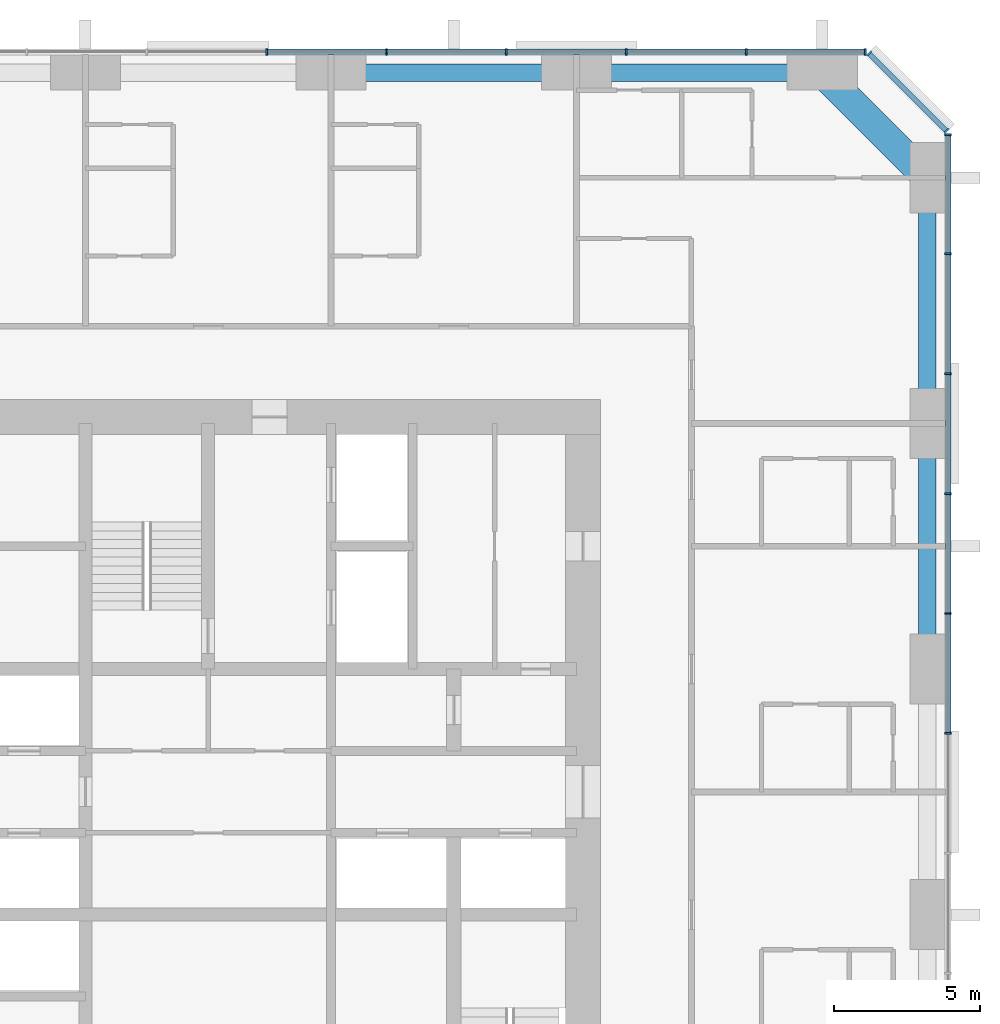
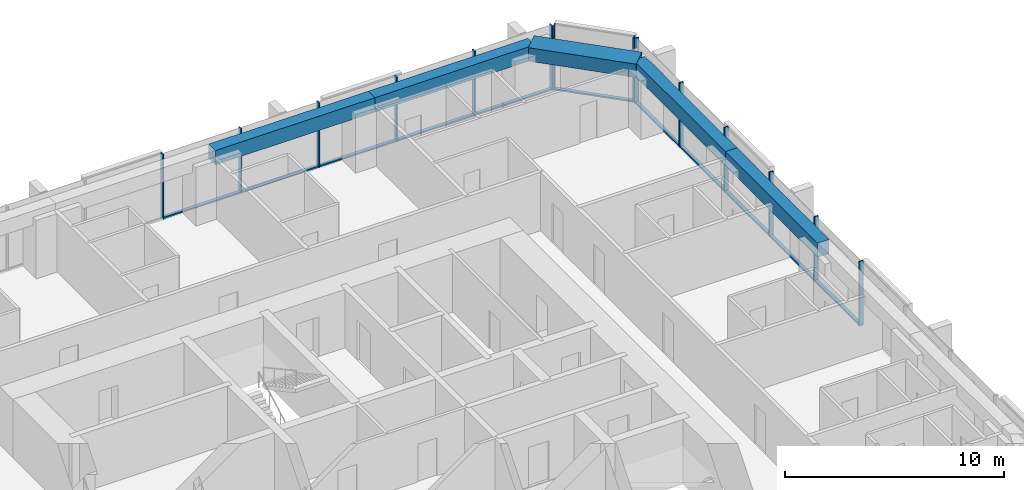
# One storey, part 6 of 14: 25 members, 5 beams, 3 elements without a shape of their own.
"""IFC4 building model written with IfcOpenShell, lengths in metres."""

from ifc_helpers import new_model, si_unit, direction, frame, origin, origin_2d, place, context, subcontext, project, spatial, rectangle, extrude, material, material_profile, profile_set, type_object, element, aggregate, save


model = new_model("IFC4")

# Units and contexts
model_context = context("Model", 3, precision=1e-05, world=origin(), true_north=direction((0.0, 1.0)))
body_context = subcontext(model_context, "Body", "Model", "MODEL_VIEW")
ifc_project = project(units=[si_unit("LENGTHUNIT", "METRE"), si_unit("AREAUNIT", "SQUARE_METRE"), si_unit("VOLUMEUNIT", "CUBIC_METRE"), si_unit("PLANEANGLEUNIT", "RADIAN"), si_unit("MASSUNIT", "GRAM", prefix="KILO")], contexts=[model_context])

# Site, building, storey
site_placement = place(None, origin())
site = spatial("IfcSite", under=ifc_project, at=site_placement, CompositionType="ELEMENT")
building_placement = place(site_placement, origin())
building = spatial("IfcBuilding", under=site, at=building_placement, Name="Dunama Terrace Hotel", CompositionType="ELEMENT")
storey_placement = place(building_placement, frame((0.0, 0.0, 108.0)))
storey = spatial("IfcBuildingStorey", under=building, at=storey_placement, Name="L27", CompositionType="ELEMENT", Elevation=108.0)

# Curtain wall, members
ifc_material_1 = material(Name="Aluminium curtain wall system", Category="aluminium")
curtain_wall_type = type_object("IfcCurtainWallType", Name="Unitised fritted glass wall CW-B", PredefinedType="NOTDEFINED", material=ifc_material_1)
curtain_wall_1_placement = place(storey_placement, origin())
curtain_wall_1 = element("IfcCurtainWall", 1, at=curtain_wall_1_placement, inside=storey, type_object=curtain_wall_type, Name="Unitised fritted glass wall CW-B L27", PredefinedType="NOTDEFINED")
ifc_material_2 = material(Name="Aluminium mullion", Category="aluminium")
ifc_material_profile_1 = material_profile(ifc_material_2, rectangle(XDim=0.06494140625, YDim=0.219970703125, at=origin_2d()), Name="CWB MULLION 65X220")
ifc_profile_set_1 = profile_set([ifc_material_profile_1], Name="Aluminium mullion")
member_type_1 = type_object("IfcMemberType", Name="CWB mullion 65x220", PredefinedType="MULLION", material=ifc_profile_set_1)
member_1_placement = place(storey_placement, frame((54.7099609375, 31.39990234375, 0.0), z_axis=(0.0, 0.0, 1.0), x_axis=(0.0, 1.0, 0.0)))
member_1 = element("IfcMember", 2, at=member_1_placement, type_object=member_type_1, Name="CWB mullion", PredefinedType="MULLION", context=body_context, shape_type="SweptSolid", body=[
    extrude(rectangle(XDim=0.06494140625, YDim=0.219970703125, at=origin_2d()), origin(), (0.0, 0.0, 1.0), 3.60009765625),
])
member_2_placement = place(storey_placement, frame((54.7099609375, 35.5, 0.0), z_axis=(0.0, 0.0, 1.0), x_axis=(0.0, 1.0, 0.0)))
member_2 = element("IfcMember", 3, at=member_2_placement, type_object=member_type_1, Name="CWB mullion", PredefinedType="MULLION", context=body_context, shape_type="SweptSolid", body=[
    extrude(rectangle(XDim=0.06494140625, YDim=0.219970703125, at=origin_2d()), origin(), (0.0, 0.0, 1.0), 3.60009765625),
])
member_3_placement = place(storey_placement, frame((54.7099609375, 39.60009765625, 0.0), z_axis=(0.0, 0.0, 1.0), x_axis=(0.0, 1.0, 0.0)))
member_3 = element("IfcMember", 4, at=member_3_placement, type_object=member_type_1, Name="CWB mullion", PredefinedType="MULLION", context=body_context, shape_type="SweptSolid", body=[
    extrude(rectangle(XDim=0.06494140625, YDim=0.219970703125, at=origin_2d()), origin(), (0.0, 0.0, 1.0), 3.60009765625),
])
member_4_placement = place(storey_placement, frame((54.7099609375, 43.699951171875, 0.0), z_axis=(0.0, 0.0, 1.0), x_axis=(0.0, 1.0, 0.0)))
member_4 = element("IfcMember", 5, at=member_4_placement, type_object=member_type_1, Name="CWB mullion", PredefinedType="MULLION", context=body_context, shape_type="SweptSolid", body=[
    extrude(rectangle(XDim=0.06494140625, YDim=0.219970703125, at=origin_2d()), origin(), (0.0, 0.0, 1.0), 3.60009765625),
])
member_5_placement = place(storey_placement, frame((54.7099609375, 47.800048828125, 0.0), z_axis=(0.0, 0.0, 1.0), x_axis=(0.0, 1.0, 0.0)))
member_5 = element("IfcMember", 6, at=member_5_placement, type_object=member_type_1, Name="CWB mullion", PredefinedType="MULLION", context=body_context, shape_type="SweptSolid", body=[
    extrude(rectangle(XDim=0.06494140625, YDim=0.219970703125, at=origin_2d()), origin(), (0.0, 0.0, 1.0), 3.60009765625),
])
member_6_placement = place(storey_placement, frame((54.7099609375, 51.866943359375, 0.0), z_axis=(0.0, 0.0, 1.0), x_axis=(0.0, 1.0, 0.0)))
member_6 = element("IfcMember", 7, at=member_6_placement, type_object=member_type_1, Name="CWB mullion", PredefinedType="MULLION", context=body_context, shape_type="SweptSolid", body=[
    extrude(rectangle(XDim=0.06494140625, YDim=0.219970703125, at=origin_2d()), origin(), (0.0, 0.0, 1.0), 3.60009765625),
])

curtain_wall_2_placement = place(storey_placement, origin())
curtain_wall_2 = element("IfcCurtainWall", 8, at=curtain_wall_2_placement, inside=storey, type_object=curtain_wall_type, Name="Unitised fritted glass wall CW-B L27", PredefinedType="NOTDEFINED")
member_7_placement = place(storey_placement, frame((54.655029296875, 52.0009765625, 0.0), z_axis=(0.0, 0.0, 1.0), x_axis=(-0.707106781187, 0.707106781187, 0.0)))
member_7 = element("IfcMember", 9, at=member_7_placement, type_object=member_type_1, Name="CWB mullion", PredefinedType="MULLION", context=body_context, shape_type="SweptSolid", body=[
    extrude(rectangle(XDim=0.06494140625, YDim=0.219970703125, at=origin_2d()), origin(), (0.0, 0.0, 1.0), 3.60009765625),
])
member_8_placement = place(storey_placement, frame((52.0009765625, 54.655029296875, 0.0), z_axis=(0.0, 0.0, 1.0), x_axis=(-0.707106781187, 0.707106781187, 0.0)))
member_8 = element("IfcMember", 10, at=member_8_placement, type_object=member_type_1, Name="CWB mullion", PredefinedType="MULLION", context=body_context, shape_type="SweptSolid", body=[
    extrude(rectangle(XDim=0.06494140625, YDim=0.219970703125, at=origin_2d()), origin(), (0.0, 0.0, 1.0), 3.60009765625),
])

curtain_wall_3_placement = place(storey_placement, origin())
curtain_wall_3 = element("IfcCurtainWall", 11, at=curtain_wall_3_placement, inside=storey, type_object=curtain_wall_type, Name="Unitised fritted glass wall CW-B L27", PredefinedType="NOTDEFINED")
member_9_placement = place(storey_placement, frame((51.866943359375, 54.7099609375, 0.0), z_axis=(0.0, 0.0, 1.0), x_axis=(-1.0, 0.0, 0.0)))
member_9 = element("IfcMember", 12, at=member_9_placement, type_object=member_type_1, Name="CWB mullion", PredefinedType="MULLION", context=body_context, shape_type="SweptSolid", body=[
    extrude(rectangle(XDim=0.06494140625, YDim=0.219970703125, at=origin_2d()), origin(), (0.0, 0.0, 1.0), 3.60009765625),
])
member_10_placement = place(storey_placement, frame((47.800048828125, 54.7099609375, 0.0), z_axis=(0.0, 0.0, 1.0), x_axis=(-1.0, 0.0, 0.0)))
member_10 = element("IfcMember", 13, at=member_10_placement, type_object=member_type_1, Name="CWB mullion", PredefinedType="MULLION", context=body_context, shape_type="SweptSolid", body=[
    extrude(rectangle(XDim=0.06494140625, YDim=0.219970703125, at=origin_2d()), origin(), (0.0, 0.0, 1.0), 3.60009765625),
])
member_11_placement = place(storey_placement, frame((43.699951171875, 54.7099609375, 0.0), z_axis=(0.0, 0.0, 1.0), x_axis=(-1.0, 0.0, 0.0)))
member_11 = element("IfcMember", 14, at=member_11_placement, type_object=member_type_1, Name="CWB mullion", PredefinedType="MULLION", context=body_context, shape_type="SweptSolid", body=[
    extrude(rectangle(XDim=0.06494140625, YDim=0.219970703125, at=origin_2d()), origin(), (0.0, 0.0, 1.0), 3.60009765625),
])
member_12_placement = place(storey_placement, frame((39.60009765625, 54.7099609375, 0.0), z_axis=(0.0, 0.0, 1.0), x_axis=(-1.0, 0.0, 0.0)))
member_12 = element("IfcMember", 15, at=member_12_placement, type_object=member_type_1, Name="CWB mullion", PredefinedType="MULLION", context=body_context, shape_type="SweptSolid", body=[
    extrude(rectangle(XDim=0.06494140625, YDim=0.219970703125, at=origin_2d()), origin(), (0.0, 0.0, 1.0), 3.60009765625),
])
member_13_placement = place(storey_placement, frame((35.5, 54.7099609375, 0.0), z_axis=(0.0, 0.0, 1.0), x_axis=(-1.0, 0.0, 0.0)))
member_13 = element("IfcMember", 16, at=member_13_placement, type_object=member_type_1, Name="CWB mullion", PredefinedType="MULLION", context=body_context, shape_type="SweptSolid", body=[
    extrude(rectangle(XDim=0.06494140625, YDim=0.219970703125, at=origin_2d()), origin(), (0.0, 0.0, 1.0), 3.60009765625),
])
member_14_placement = place(storey_placement, frame((31.39990234375, 54.7099609375, 0.0), z_axis=(0.0, 0.0, 1.0), x_axis=(-1.0, 0.0, 0.0)))
member_14 = element("IfcMember", 17, at=member_14_placement, type_object=member_type_1, Name="CWB mullion", PredefinedType="MULLION", context=body_context, shape_type="SweptSolid", body=[
    extrude(rectangle(XDim=0.06494140625, YDim=0.219970703125, at=origin_2d()), origin(), (0.0, 0.0, 1.0), 3.60009765625),
])

# Member
ifc_material_3 = material(Name="Aluminium transom", Category="aluminium")
ifc_material_profile_2 = material_profile(ifc_material_3, rectangle(XDim=0.179931640625, YDim=0.080078125, at=origin_2d()), Name="CWB TRANSOM 180X80")
ifc_profile_set_2 = profile_set([ifc_material_profile_2], Name="Aluminium transom")
member_type_2 = type_object("IfcMemberType", Name="CWB transom 180x80", PredefinedType="USERDEFINED", material=ifc_profile_set_2)
member_15_placement = place(storey_placement, frame((54.7099609375, 31.431884765625, 0.0400390625), z_axis=(0.0, 1.0, 0.0), x_axis=(-1.0, 0.0, 0.0)))
member_15 = element("IfcMember", 18, at=member_15_placement, type_object=member_type_2, Name="CWB transom", ObjectType="TRANSOM", PredefinedType="USERDEFINED", context=body_context, shape_type="SweptSolid", body=[
    extrude(rectangle(XDim=0.179931640625, YDim=0.080078125, at=origin_2d()), origin(), (0.0, 0.0, 1.0), 4.0361328125),
])

member_16_placement = place(storey_placement, frame((54.7099609375, 35.531982421875, 0.0400390625), z_axis=(0.0, 1.0, 0.0), x_axis=(-1.0, 0.0, 0.0)))
member_16 = element("IfcMember", 19, at=member_16_placement, type_object=member_type_2, Name="CWB transom", ObjectType="TRANSOM", PredefinedType="USERDEFINED", context=body_context, shape_type="SweptSolid", body=[
    extrude(rectangle(XDim=0.179931640625, YDim=0.080078125, at=origin_2d()), origin(), (0.0, 0.0, 1.0), 4.0361328125),
])

member_17_placement = place(storey_placement, frame((54.7099609375, 39.633056640625, 0.0400390625), z_axis=(0.0, 1.0, 0.0), x_axis=(-1.0, 0.0, 0.0)))
member_17 = element("IfcMember", 20, at=member_17_placement, type_object=member_type_2, Name="CWB transom", ObjectType="TRANSOM", PredefinedType="USERDEFINED", context=body_context, shape_type="SweptSolid", body=[
    extrude(rectangle(XDim=0.179931640625, YDim=0.080078125, at=origin_2d()), origin(), (0.0, 0.0, 1.0), 4.034912109375),
])

member_18_placement = place(storey_placement, frame((54.7099609375, 43.73291015625, 0.0400390625), z_axis=(0.0, 1.0, 0.0), x_axis=(-1.0, 0.0, 0.0)))
member_18 = element("IfcMember", 21, at=member_18_placement, type_object=member_type_2, Name="CWB transom", ObjectType="TRANSOM", PredefinedType="USERDEFINED", context=body_context, shape_type="SweptSolid", body=[
    extrude(rectangle(XDim=0.179931640625, YDim=0.080078125, at=origin_2d()), origin(), (0.0, 0.0, 1.0), 4.0341796875),
])

member_19_placement = place(storey_placement, frame((54.7099609375, 47.83203125, 0.0400390625), z_axis=(0.0, 1.0, 0.0), x_axis=(-1.0, 0.0, 0.0)))
member_19 = element("IfcMember", 22, at=member_19_placement, type_object=member_type_2, Name="CWB transom", ObjectType="TRANSOM", PredefinedType="USERDEFINED", context=body_context, shape_type="SweptSolid", body=[
    extrude(rectangle(XDim=0.179931640625, YDim=0.080078125, at=origin_2d()), origin(), (0.0, 0.0, 1.0), 4.0029296875),
])

aggregate(curtain_wall_1, [member_1, member_2, member_3, member_4, member_5, member_6, member_15, member_16, member_17, member_18, member_19])

member_20_placement = place(storey_placement, frame((54.632080078125, 52.02392578125, 0.0400390625), z_axis=(-0.707106781187, 0.707106781187, 0.0), x_axis=(-0.707106781187, -0.707106781187, 0.0)))
member_20 = element("IfcMember", 23, at=member_20_placement, type_object=member_type_2, Name="CWB transom", ObjectType="TRANSOM", PredefinedType="USERDEFINED", context=body_context, shape_type="SweptSolid", body=[
    extrude(rectangle(XDim=0.179931640625, YDim=0.080078125, at=origin_2d()), origin(), (0.0, 0.0, 1.0), 3.6884765625),
])

aggregate(curtain_wall_2, [member_7, member_8, member_20])

member_21_placement = place(storey_placement, frame((51.8349609375, 54.7099609375, 0.0400390625), z_axis=(-1.0, 0.0, 0.0), x_axis=(0.0, -1.0, 0.0)))
member_21 = element("IfcMember", 24, at=member_21_placement, type_object=member_type_2, Name="CWB transom", ObjectType="TRANSOM", PredefinedType="USERDEFINED", context=body_context, shape_type="SweptSolid", body=[
    extrude(rectangle(XDim=0.179931640625, YDim=0.080078125, at=origin_2d()), origin(), (0.0, 0.0, 1.0), 4.0029296875),
])

member_22_placement = place(storey_placement, frame((47.76708984375, 54.7099609375, 0.0400390625), z_axis=(-1.0, 0.0, 0.0), x_axis=(0.0, -1.0, 0.0)))
member_22 = element("IfcMember", 25, at=member_22_placement, type_object=member_type_2, Name="CWB transom", ObjectType="TRANSOM", PredefinedType="USERDEFINED", context=body_context, shape_type="SweptSolid", body=[
    extrude(rectangle(XDim=0.179931640625, YDim=0.080078125, at=origin_2d()), origin(), (0.0, 0.0, 1.0), 4.0341796875),
])

member_23_placement = place(storey_placement, frame((43.6669921875, 54.7099609375, 0.0400390625), z_axis=(-1.0, 0.0, 0.0), x_axis=(0.0, -1.0, 0.0)))
member_23 = element("IfcMember", 26, at=member_23_placement, type_object=member_type_2, Name="CWB transom", ObjectType="TRANSOM", PredefinedType="USERDEFINED", context=body_context, shape_type="SweptSolid", body=[
    extrude(rectangle(XDim=0.179931640625, YDim=0.080078125, at=origin_2d()), origin(), (0.0, 0.0, 1.0), 4.033935546875),
])

member_24_placement = place(storey_placement, frame((39.56689453125, 54.7099609375, 0.0400390625), z_axis=(-1.0, 0.0, 0.0), x_axis=(0.0, -1.0, 0.0)))
member_24 = element("IfcMember", 27, at=member_24_placement, type_object=member_type_2, Name="CWB transom", ObjectType="TRANSOM", PredefinedType="USERDEFINED", context=body_context, shape_type="SweptSolid", body=[
    extrude(rectangle(XDim=0.179931640625, YDim=0.080078125, at=origin_2d()), origin(), (0.0, 0.0, 1.0), 4.034912109375),
])

member_25_placement = place(storey_placement, frame((35.468017578125, 54.7099609375, 0.0400390625), z_axis=(-1.0, 0.0, 0.0), x_axis=(0.0, -1.0, 0.0)))
member_25 = element("IfcMember", 28, at=member_25_placement, type_object=member_type_2, Name="CWB transom", ObjectType="TRANSOM", PredefinedType="USERDEFINED", context=body_context, shape_type="SweptSolid", body=[
    extrude(rectangle(XDim=0.179931640625, YDim=0.080078125, at=origin_2d()), origin(), (0.0, 0.0, 1.0), 4.0361328125),
])

aggregate(curtain_wall_3, [member_9, member_10, member_11, member_12, member_13, member_14, member_21, member_22, member_23, member_24, member_25])

# Beams
ifc_material_4 = material(Name="Concrete C50/60", Category="concrete")
ifc_material_profile_3 = material_profile(ifc_material_4, rectangle(XDim=1.0, YDim=0.75, at=origin_2d()), Name="RC 1000x750")
ifc_profile_set_3 = profile_set([ifc_material_profile_3], Name="Concrete C50/60")
beam_type_1 = type_object("IfcBeamType", Name="Edge beam RC 1000x750", PredefinedType="SPANDREL", material=ifc_profile_set_3)
beam_placement = place(storey_placement, frame((50.39990234375, 54.0, 3.22509765625), z_axis=(0.707106781187, -0.707106781187, 0.0), x_axis=(0.707106781187, 0.707106781187, 0.0)))
element("IfcBeam", 29, at=beam_placement, inside=storey, type_object=beam_type_1, Name="Corner edge beam under L28", PredefinedType="SPANDREL", context=body_context, shape_type="SweptSolid", body=[
    extrude(rectangle(XDim=1.0, YDim=0.75, at=origin_2d()), origin(), (0.0, 0.0, 1.0), 5.09130859375),
])
ifc_material_5 = material(Name="Concrete C40/50", Category="concrete")
ifc_material_profile_4 = material_profile(ifc_material_5, rectangle(XDim=0.60009765625, YDim=0.800048828125, at=origin_2d()), Name="RC 600x800")
ifc_profile_set_4 = profile_set([ifc_material_profile_4], Name="Concrete C40/50")
beam_type_2 = type_object("IfcBeamType", Name="Edge beam RC 600x800", PredefinedType="SPANDREL", material=ifc_profile_set_4)
for number, where, z_axis, x_axis, name in (
    (30, (54.0, 33.60009765625, 3.199951171875), (0.0, 1.0, 0.0), (-1.0, 0.0, 0.0), "Edge beam under L28"),
    (31, (54.0, 42.0, 3.199951171875), (0.0, 1.0, 0.0), (-1.0, 0.0, 0.0), "Edge beam under L28"),
    (32, (33.60009765625, 54.0, 3.199951171875), (1.0, 0.0, 0.0), (0.0, 1.0, 0.0), "Edge beam under L28"),
    (33, (42.0, 54.0, 3.199951171875), (1.0, 0.0, 0.0), (0.0, 1.0, 0.0), "Edge beam under L28"),
):
    element("IfcBeam", number, at=place(storey_placement, frame(where, z_axis=z_axis, x_axis=x_axis)), inside=storey, type_object=beam_type_2, Name=name, PredefinedType="SPANDREL", context=body_context, shape_type="SweptSolid", body=[
        extrude(rectangle(XDim=0.60009765625, YDim=0.800048828125, at=origin_2d()), origin(), (0.0, 0.0, 1.0), 8.39990234375),
    ])

save(model, "model.ifc")
